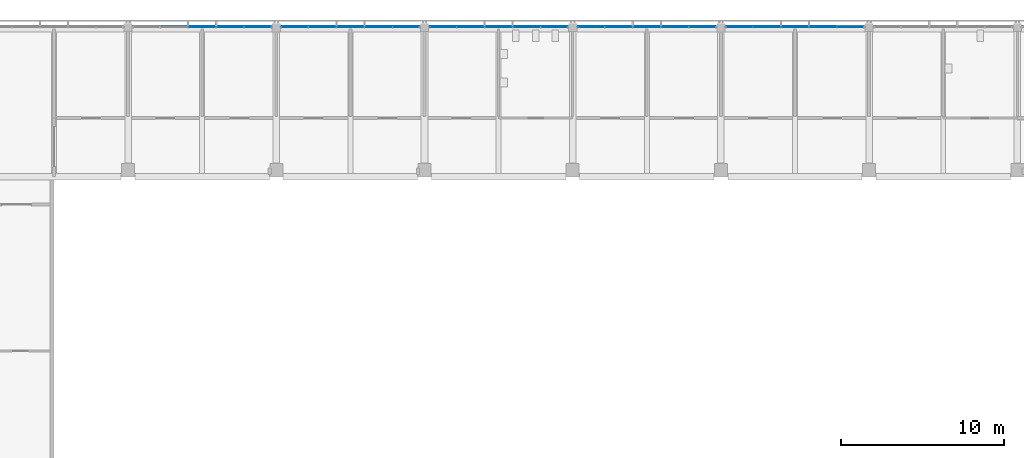
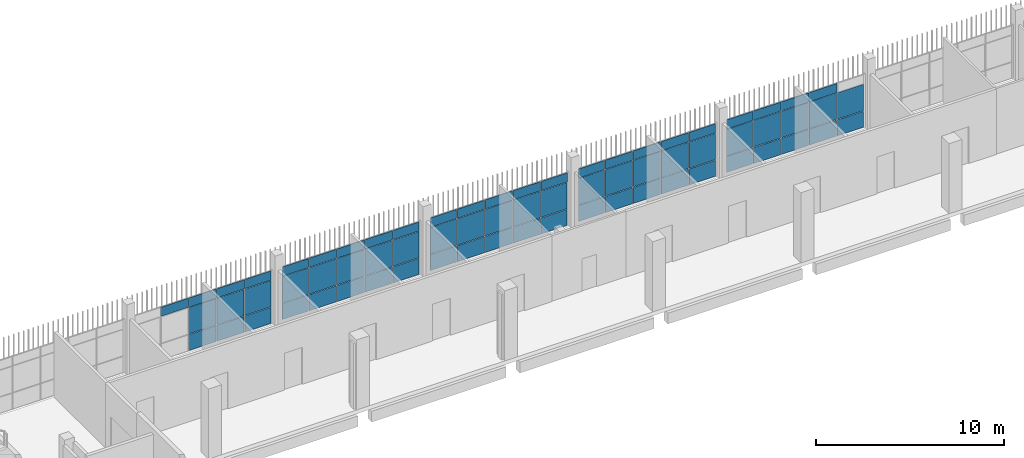
# One storey, part 62 of 124: 69 plates, 5 elements without a shape of their own.
"""IFC4 building model written with IfcOpenShell, lengths in metres."""

from ifc_helpers import new_model, si_unit, direction, frame, origin, origin_2d, place, context, subcontext, project, spatial, rectangle, extrude, material, layer, layer_set, type_object, element, aggregate, save


model = new_model("IFC4")

# Units and contexts
model_context = context("Model", 3, precision=1e-05, world=origin(), true_north=direction((0.0, 1.0)))
body_context = subcontext(model_context, "Body", "Model", "MODEL_VIEW")
ifc_project = project(units=[si_unit("LENGTHUNIT", "METRE"), si_unit("AREAUNIT", "SQUARE_METRE"), si_unit("VOLUMEUNIT", "CUBIC_METRE"), si_unit("PLANEANGLEUNIT", "RADIAN"), si_unit("MASSUNIT", "GRAM", prefix="KILO")], contexts=[model_context])

# Site, building, storey
site_placement = place(None, origin())
site = spatial("IfcSite", under=ifc_project, at=site_placement, CompositionType="ELEMENT")
building_placement = place(site_placement, origin())
building = spatial("IfcBuilding", under=site, at=building_placement, Name="Shirokan Park Arena", CompositionType="ELEMENT")
storey_placement = place(building_placement, frame((0.0, 0.0, 20.02001953125)))
storey = spatial("IfcBuildingStorey", under=building, at=storey_placement, Name="L04", CompositionType="ELEMENT", Elevation=20.02001953125)

# Curtain wall, plates
ifc_material_1 = material(Name="Steel and glass curtain wall", Category="steel")
ifc_layer_1 = layer(ifc_material_1, 0.10009765625)
ifc_layer_set_1 = layer_set([ifc_layer_1], Name="Steel and glass curtain wall 100 mm")
curtain_wall_type = type_object("IfcCurtainWallType", Name="Curtain wall sheltered bay 100", PredefinedType="NOTDEFINED", material=ifc_layer_set_1)
curtain_wall_1_placement = place(storey_placement, origin())
curtain_wall_1 = element("IfcCurtainWall", 1, at=curtain_wall_1_placement, inside=storey, type_object=curtain_wall_type, Name="Curtain wall north bay 7 L04", PredefinedType="NOTDEFINED")
ifc_material_2 = material(Name="Aluminium sheet", Category="aluminium")
ifc_layer_2 = layer(ifc_material_2, 0.0029296875, Name="Aluminium sheet")
ifc_material_3 = material(Name="Mineral wool insulation")
ifc_layer_3 = layer(ifc_material_3, 0.053955078125, Name="Mineral wool insulation")
ifc_layer_4 = layer(ifc_material_2, 0.0029296875, Name="Aluminium sheet")
ifc_layer_set_2 = layer_set([ifc_layer_2, ifc_layer_3, ifc_layer_4], Name="Aluminium sheet + Mineral wool insulation")
plate_type_1 = type_object("IfcPlateType", Name="Insulated spandrel panel 60", PredefinedType="CURTAIN_PANEL", material=ifc_layer_set_2)
plate_1_placement = place(storey_placement, frame((88.169921875, 109.300048828125, 2.8701171875), z_axis=(0.0, 0.0, 1.0), x_axis=(-1.0, 0.0, 0.0)))
plate_1 = element("IfcPlate", 2, at=plate_1_placement, type_object=plate_type_1, Name="CW2 panel 2.3", PredefinedType="CURTAIN_PANEL", context=body_context, shape_type="SweptSolid", body=[
    extrude(rectangle(XDim=1.669921875, YDim=0.06005859375, at=origin_2d()), origin(), (0.0, 0.0, 1.0), 0.590087890625),
])
plate_2_placement = place(storey_placement, frame((86.449951171875, 109.300048828125, 2.8701171875), z_axis=(0.0, 0.0, 1.0), x_axis=(-1.0, 0.0, 0.0)))
plate_2 = element("IfcPlate", 3, at=plate_2_placement, type_object=plate_type_1, Name="CW2 panel 3.3", PredefinedType="CURTAIN_PANEL", context=body_context, shape_type="SweptSolid", body=[
    extrude(rectangle(XDim=1.669921875, YDim=0.06005859375, at=origin_2d()), origin(), (0.0, 0.0, 1.0), 0.590087890625),
])
plate_3_placement = place(storey_placement, frame((84.72998046875, 109.300048828125, 2.8701171875), z_axis=(0.0, 0.0, 1.0), x_axis=(-1.0, 0.0, 0.0)))
plate_3 = element("IfcPlate", 4, at=plate_3_placement, type_object=plate_type_1, Name="CW2 panel 4.3", PredefinedType="CURTAIN_PANEL", context=body_context, shape_type="SweptSolid", body=[
    extrude(rectangle(XDim=1.669921875, YDim=0.06005859375, at=origin_2d()), origin(), (0.0, 0.0, 1.0), 0.590087890625),
])
plate_4_placement = place(storey_placement, frame((83.047607421875, 109.300048828125, 2.8701171875), z_axis=(0.0, 0.0, 1.0), x_axis=(-1.0, 0.0, 0.0)))
plate_4 = element("IfcPlate", 5, at=plate_4_placement, type_object=plate_type_1, Name="CW2 panel 5.3", PredefinedType="CURTAIN_PANEL", context=body_context, shape_type="SweptSolid", body=[
    extrude(rectangle(XDim=1.594970703125, YDim=0.06005859375, at=origin_2d()), origin(), (0.0, 0.0, 1.0), 0.590087890625),
])

curtain_wall_2_placement = place(storey_placement, origin())
curtain_wall_2 = element("IfcCurtainWall", 6, at=curtain_wall_2_placement, inside=storey, type_object=curtain_wall_type, Name="Curtain wall north bay 8 L04", PredefinedType="NOTDEFINED")
plate_5_placement = place(storey_placement, frame((80.75244140625, 109.300048828125, 2.8701171875), z_axis=(0.0, 0.0, 1.0), x_axis=(-1.0, 0.0, 0.0)))
plate_5 = element("IfcPlate", 7, at=plate_5_placement, type_object=plate_type_1, Name="CW2 panel 1.3", PredefinedType="CURTAIN_PANEL", context=body_context, shape_type="SweptSolid", body=[
    extrude(rectangle(XDim=1.594970703125, YDim=0.06005859375, at=origin_2d()), origin(), (0.0, 0.0, 1.0), 0.590087890625),
])
plate_6_placement = place(storey_placement, frame((79.070068359375, 109.300048828125, 2.8701171875), z_axis=(0.0, 0.0, 1.0), x_axis=(-1.0, 0.0, 0.0)))
plate_6 = element("IfcPlate", 8, at=plate_6_placement, type_object=plate_type_1, Name="CW2 panel 2.3", PredefinedType="CURTAIN_PANEL", context=body_context, shape_type="SweptSolid", body=[
    extrude(rectangle(XDim=1.669921875, YDim=0.06005859375, at=origin_2d()), origin(), (0.0, 0.0, 1.0), 0.590087890625),
])
plate_7_placement = place(storey_placement, frame((77.35009765625, 109.300048828125, 2.8701171875), z_axis=(0.0, 0.0, 1.0), x_axis=(-1.0, 0.0, 0.0)))
plate_7 = element("IfcPlate", 9, at=plate_7_placement, type_object=plate_type_1, Name="CW2 panel 3.3", PredefinedType="CURTAIN_PANEL", context=body_context, shape_type="SweptSolid", body=[
    extrude(rectangle(XDim=1.669921875, YDim=0.06005859375, at=origin_2d()), origin(), (0.0, 0.0, 1.0), 0.590087890625),
])
plate_8_placement = place(storey_placement, frame((75.6298828125, 109.300048828125, 2.8701171875), z_axis=(0.0, 0.0, 1.0), x_axis=(-1.0, 0.0, 0.0)))
plate_8 = element("IfcPlate", 10, at=plate_8_placement, type_object=plate_type_1, Name="CW2 panel 4.3", PredefinedType="CURTAIN_PANEL", context=body_context, shape_type="SweptSolid", body=[
    extrude(rectangle(XDim=1.669921875, YDim=0.06005859375, at=origin_2d()), origin(), (0.0, 0.0, 1.0), 0.590087890625),
])
plate_9_placement = place(storey_placement, frame((73.947509765625, 109.300048828125, 2.8701171875), z_axis=(0.0, 0.0, 1.0), x_axis=(-1.0, 0.0, 0.0)))
plate_9 = element("IfcPlate", 11, at=plate_9_placement, type_object=plate_type_1, Name="CW2 panel 5.3", PredefinedType="CURTAIN_PANEL", context=body_context, shape_type="SweptSolid", body=[
    extrude(rectangle(XDim=1.594970703125, YDim=0.06005859375, at=origin_2d()), origin(), (0.0, 0.0, 1.0), 0.590087890625),
])

curtain_wall_3_placement = place(storey_placement, origin())
curtain_wall_3 = element("IfcCurtainWall", 12, at=curtain_wall_3_placement, inside=storey, type_object=curtain_wall_type, Name="Curtain wall north bay 9 L04", PredefinedType="NOTDEFINED")
plate_10_placement = place(storey_placement, frame((71.652587890625, 109.300048828125, 2.8701171875), z_axis=(0.0, 0.0, 1.0), x_axis=(-1.0, 0.0, 0.0)))
plate_10 = element("IfcPlate", 13, at=plate_10_placement, type_object=plate_type_1, Name="CW2 panel 1.3", PredefinedType="CURTAIN_PANEL", context=body_context, shape_type="SweptSolid", body=[
    extrude(rectangle(XDim=1.594970703125, YDim=0.06005859375, at=origin_2d()), origin(), (0.0, 0.0, 1.0), 0.590087890625),
])
plate_11_placement = place(storey_placement, frame((69.969970703125, 109.300048828125, 2.8701171875), z_axis=(0.0, 0.0, 1.0), x_axis=(-1.0, 0.0, 0.0)))
plate_11 = element("IfcPlate", 14, at=plate_11_placement, type_object=plate_type_1, Name="CW2 panel 2.3", PredefinedType="CURTAIN_PANEL", context=body_context, shape_type="SweptSolid", body=[
    extrude(rectangle(XDim=1.669921875, YDim=0.06005859375, at=origin_2d()), origin(), (0.0, 0.0, 1.0), 0.590087890625),
])
plate_12_placement = place(storey_placement, frame((68.25, 109.300048828125, 2.8701171875), z_axis=(0.0, 0.0, 1.0), x_axis=(-1.0, 0.0, 0.0)))
plate_12 = element("IfcPlate", 15, at=plate_12_placement, type_object=plate_type_1, Name="CW2 panel 3.3", PredefinedType="CURTAIN_PANEL", context=body_context, shape_type="SweptSolid", body=[
    extrude(rectangle(XDim=1.669921875, YDim=0.06005859375, at=origin_2d()), origin(), (0.0, 0.0, 1.0), 0.590087890625),
])
plate_13_placement = place(storey_placement, frame((66.530029296875, 109.300048828125, 2.8701171875), z_axis=(0.0, 0.0, 1.0), x_axis=(-1.0, 0.0, 0.0)))
plate_13 = element("IfcPlate", 16, at=plate_13_placement, type_object=plate_type_1, Name="CW2 panel 4.3", PredefinedType="CURTAIN_PANEL", context=body_context, shape_type="SweptSolid", body=[
    extrude(rectangle(XDim=1.669921875, YDim=0.06005859375, at=origin_2d()), origin(), (0.0, 0.0, 1.0), 0.590087890625),
])
plate_14_placement = place(storey_placement, frame((64.847412109375, 109.300048828125, 2.8701171875), z_axis=(0.0, 0.0, 1.0), x_axis=(-1.0, 0.0, 0.0)))
plate_14 = element("IfcPlate", 17, at=plate_14_placement, type_object=plate_type_1, Name="CW2 panel 5.3", PredefinedType="CURTAIN_PANEL", context=body_context, shape_type="SweptSolid", body=[
    extrude(rectangle(XDim=1.594970703125, YDim=0.06005859375, at=origin_2d()), origin(), (0.0, 0.0, 1.0), 0.590087890625),
])

curtain_wall_4_placement = place(storey_placement, origin())
curtain_wall_4 = element("IfcCurtainWall", 18, at=curtain_wall_4_placement, inside=storey, type_object=curtain_wall_type, Name="Curtain wall north bay 10 L04", PredefinedType="NOTDEFINED")
plate_15_placement = place(storey_placement, frame((62.552490234375, 109.300048828125, 2.8701171875), z_axis=(0.0, 0.0, 1.0), x_axis=(-1.0, 0.0, 0.0)))
plate_15 = element("IfcPlate", 19, at=plate_15_placement, type_object=plate_type_1, Name="CW2 panel 1.3", PredefinedType="CURTAIN_PANEL", context=body_context, shape_type="SweptSolid", body=[
    extrude(rectangle(XDim=1.594970703125, YDim=0.06005859375, at=origin_2d()), origin(), (0.0, 0.0, 1.0), 0.590087890625),
])
plate_16_placement = place(storey_placement, frame((60.8701171875, 109.300048828125, 2.8701171875), z_axis=(0.0, 0.0, 1.0), x_axis=(-1.0, 0.0, 0.0)))
plate_16 = element("IfcPlate", 20, at=plate_16_placement, type_object=plate_type_1, Name="CW2 panel 2.3", PredefinedType="CURTAIN_PANEL", context=body_context, shape_type="SweptSolid", body=[
    extrude(rectangle(XDim=1.669921875, YDim=0.06005859375, at=origin_2d()), origin(), (0.0, 0.0, 1.0), 0.590087890625),
])
plate_17_placement = place(storey_placement, frame((59.14990234375, 109.300048828125, 2.8701171875), z_axis=(0.0, 0.0, 1.0), x_axis=(-1.0, 0.0, 0.0)))
plate_17 = element("IfcPlate", 21, at=plate_17_placement, type_object=plate_type_1, Name="CW2 panel 3.3", PredefinedType="CURTAIN_PANEL", context=body_context, shape_type="SweptSolid", body=[
    extrude(rectangle(XDim=1.669921875, YDim=0.06005859375, at=origin_2d()), origin(), (0.0, 0.0, 1.0), 0.590087890625),
])
plate_18_placement = place(storey_placement, frame((57.429931640625, 109.300048828125, 2.8701171875), z_axis=(0.0, 0.0, 1.0), x_axis=(-1.0, 0.0, 0.0)))
plate_18 = element("IfcPlate", 22, at=plate_18_placement, type_object=plate_type_1, Name="CW2 panel 4.3", PredefinedType="CURTAIN_PANEL", context=body_context, shape_type="SweptSolid", body=[
    extrude(rectangle(XDim=1.669921875, YDim=0.06005859375, at=origin_2d()), origin(), (0.0, 0.0, 1.0), 0.590087890625),
])
plate_19_placement = place(storey_placement, frame((55.74755859375, 109.300048828125, 2.8701171875), z_axis=(0.0, 0.0, 1.0), x_axis=(-1.0, 0.0, 0.0)))
plate_19 = element("IfcPlate", 23, at=plate_19_placement, type_object=plate_type_1, Name="CW2 panel 5.3", PredefinedType="CURTAIN_PANEL", context=body_context, shape_type="SweptSolid", body=[
    extrude(rectangle(XDim=1.594970703125, YDim=0.06005859375, at=origin_2d()), origin(), (0.0, 0.0, 1.0), 0.590087890625),
])

curtain_wall_5_placement = place(storey_placement, origin())
curtain_wall_5 = element("IfcCurtainWall", 24, at=curtain_wall_5_placement, inside=storey, type_object=curtain_wall_type, Name="Curtain wall north bay 11 L04", PredefinedType="NOTDEFINED")
plate_20_placement = place(storey_placement, frame((53.452392578125, 109.300048828125, 2.8701171875), z_axis=(0.0, 0.0, 1.0), x_axis=(-1.0, 0.0, 0.0)))
plate_20 = element("IfcPlate", 25, at=plate_20_placement, type_object=plate_type_1, Name="CW2 panel 1.3", PredefinedType="CURTAIN_PANEL", context=body_context, shape_type="SweptSolid", body=[
    extrude(rectangle(XDim=1.594970703125, YDim=0.06005859375, at=origin_2d()), origin(), (0.0, 0.0, 1.0), 0.590087890625),
])
plate_21_placement = place(storey_placement, frame((51.77001953125, 109.300048828125, 2.8701171875), z_axis=(0.0, 0.0, 1.0), x_axis=(-1.0, 0.0, 0.0)))
plate_21 = element("IfcPlate", 26, at=plate_21_placement, type_object=plate_type_1, Name="CW2 panel 2.3", PredefinedType="CURTAIN_PANEL", context=body_context, shape_type="SweptSolid", body=[
    extrude(rectangle(XDim=1.669921875, YDim=0.06005859375, at=origin_2d()), origin(), (0.0, 0.0, 1.0), 0.590087890625),
])
plate_22_placement = place(storey_placement, frame((50.050048828125, 109.300048828125, 2.8701171875), z_axis=(0.0, 0.0, 1.0), x_axis=(-1.0, 0.0, 0.0)))
plate_22 = element("IfcPlate", 27, at=plate_22_placement, type_object=plate_type_1, Name="CW2 panel 3.3", PredefinedType="CURTAIN_PANEL", context=body_context, shape_type="SweptSolid", body=[
    extrude(rectangle(XDim=1.669921875, YDim=0.06005859375, at=origin_2d()), origin(), (0.0, 0.0, 1.0), 0.590087890625),
])
plate_23_placement = place(storey_placement, frame((48.330078125, 109.300048828125, 2.8701171875), z_axis=(0.0, 0.0, 1.0), x_axis=(-1.0, 0.0, 0.0)))
plate_23 = element("IfcPlate", 28, at=plate_23_placement, type_object=plate_type_1, Name="CW2 panel 4.3", PredefinedType="CURTAIN_PANEL", context=body_context, shape_type="SweptSolid", body=[
    extrude(rectangle(XDim=1.669921875, YDim=0.06005859375, at=origin_2d()), origin(), (0.0, 0.0, 1.0), 0.590087890625),
])

# Plate
ifc_material_4 = material(Name="Toughened glass", Category="glass")
ifc_layer_5 = layer(ifc_material_4, 0.012939453125, Name="Toughened glass")
ifc_material_5 = material(Name="Interlayer film")
ifc_layer_6 = layer(ifc_material_5, 0.001953125, Name="Interlayer film")
ifc_layer_7 = layer(ifc_material_4, 0.012939453125, Name="Toughened glass")
ifc_layer_set_3 = layer_set([ifc_layer_5, ifc_layer_6, ifc_layer_7], Name="Toughened glass + Interlayer film")
plate_type_2 = type_object("IfcPlateType", Name="Laminated glass panel 28", PredefinedType="CURTAIN_PANEL", material=ifc_layer_set_3)
plate_24_placement = place(storey_placement, frame((89.8525390625, 109.300048828125, 1.1201171875), z_axis=(0.0, 0.0, 1.0), x_axis=(-1.0, 0.0, 0.0)))
plate_24 = element("IfcPlate", 29, at=plate_24_placement, type_object=plate_type_2, Name="CW2 panel 1.2", PredefinedType="CURTAIN_PANEL", context=body_context, shape_type="SweptSolid", body=[
    extrude(rectangle(XDim=1.594970703125, YDim=0.028076171875, at=origin_2d()), origin(), (0.0, 0.0, 1.0), 1.7099609375),
])

plate_25_placement = place(storey_placement, frame((88.169921875, 109.300048828125, 1.1201171875), z_axis=(0.0, 0.0, 1.0), x_axis=(-1.0, 0.0, 0.0)))
plate_25 = element("IfcPlate", 30, at=plate_25_placement, type_object=plate_type_2, Name="CW2 panel 2.2", PredefinedType="CURTAIN_PANEL", context=body_context, shape_type="SweptSolid", body=[
    extrude(rectangle(XDim=1.669921875, YDim=0.028076171875, at=origin_2d()), origin(), (0.0, 0.0, 1.0), 1.7099609375),
])

plate_26_placement = place(storey_placement, frame((86.449951171875, 109.300048828125, 1.1201171875), z_axis=(0.0, 0.0, 1.0), x_axis=(-1.0, 0.0, 0.0)))
plate_26 = element("IfcPlate", 31, at=plate_26_placement, type_object=plate_type_2, Name="CW2 panel 3.2", PredefinedType="CURTAIN_PANEL", context=body_context, shape_type="SweptSolid", body=[
    extrude(rectangle(XDim=1.669921875, YDim=0.028076171875, at=origin_2d()), origin(), (0.0, 0.0, 1.0), 1.7099609375),
])

plate_27_placement = place(storey_placement, frame((84.72998046875, 109.300048828125, 1.1201171875), z_axis=(0.0, 0.0, 1.0), x_axis=(-1.0, 0.0, 0.0)))
plate_27 = element("IfcPlate", 32, at=plate_27_placement, type_object=plate_type_2, Name="CW2 panel 4.2", PredefinedType="CURTAIN_PANEL", context=body_context, shape_type="SweptSolid", body=[
    extrude(rectangle(XDim=1.669921875, YDim=0.028076171875, at=origin_2d()), origin(), (0.0, 0.0, 1.0), 1.7099609375),
])

plate_28_placement = place(storey_placement, frame((83.047607421875, 109.300048828125, 1.1201171875), z_axis=(0.0, 0.0, 1.0), x_axis=(-1.0, 0.0, 0.0)))
plate_28 = element("IfcPlate", 33, at=plate_28_placement, type_object=plate_type_2, Name="CW2 panel 5.2", PredefinedType="CURTAIN_PANEL", context=body_context, shape_type="SweptSolid", body=[
    extrude(rectangle(XDim=1.594970703125, YDim=0.028076171875, at=origin_2d()), origin(), (0.0, 0.0, 1.0), 1.7099609375),
])

plate_29_placement = place(storey_placement, frame((80.75244140625, 109.300048828125, 1.1201171875), z_axis=(0.0, 0.0, 1.0), x_axis=(-1.0, 0.0, 0.0)))
plate_29 = element("IfcPlate", 34, at=plate_29_placement, type_object=plate_type_2, Name="CW2 panel 1.2", PredefinedType="CURTAIN_PANEL", context=body_context, shape_type="SweptSolid", body=[
    extrude(rectangle(XDim=1.594970703125, YDim=0.028076171875, at=origin_2d()), origin(), (0.0, 0.0, 1.0), 1.7099609375),
])

plate_30_placement = place(storey_placement, frame((79.070068359375, 109.300048828125, 1.1201171875), z_axis=(0.0, 0.0, 1.0), x_axis=(-1.0, 0.0, 0.0)))
plate_30 = element("IfcPlate", 35, at=plate_30_placement, type_object=plate_type_2, Name="CW2 panel 2.2", PredefinedType="CURTAIN_PANEL", context=body_context, shape_type="SweptSolid", body=[
    extrude(rectangle(XDim=1.669921875, YDim=0.028076171875, at=origin_2d()), origin(), (0.0, 0.0, 1.0), 1.7099609375),
])

plate_31_placement = place(storey_placement, frame((77.35009765625, 109.300048828125, 1.1201171875), z_axis=(0.0, 0.0, 1.0), x_axis=(-1.0, 0.0, 0.0)))
plate_31 = element("IfcPlate", 36, at=plate_31_placement, type_object=plate_type_2, Name="CW2 panel 3.2", PredefinedType="CURTAIN_PANEL", context=body_context, shape_type="SweptSolid", body=[
    extrude(rectangle(XDim=1.669921875, YDim=0.028076171875, at=origin_2d()), origin(), (0.0, 0.0, 1.0), 1.7099609375),
])

plate_32_placement = place(storey_placement, frame((75.6298828125, 109.300048828125, 1.1201171875), z_axis=(0.0, 0.0, 1.0), x_axis=(-1.0, 0.0, 0.0)))
plate_32 = element("IfcPlate", 37, at=plate_32_placement, type_object=plate_type_2, Name="CW2 panel 4.2", PredefinedType="CURTAIN_PANEL", context=body_context, shape_type="SweptSolid", body=[
    extrude(rectangle(XDim=1.669921875, YDim=0.028076171875, at=origin_2d()), origin(), (0.0, 0.0, 1.0), 1.7099609375),
])

plate_33_placement = place(storey_placement, frame((73.947509765625, 109.300048828125, 1.1201171875), z_axis=(0.0, 0.0, 1.0), x_axis=(-1.0, 0.0, 0.0)))
plate_33 = element("IfcPlate", 38, at=plate_33_placement, type_object=plate_type_2, Name="CW2 panel 5.2", PredefinedType="CURTAIN_PANEL", context=body_context, shape_type="SweptSolid", body=[
    extrude(rectangle(XDim=1.594970703125, YDim=0.028076171875, at=origin_2d()), origin(), (0.0, 0.0, 1.0), 1.7099609375),
])

plate_34_placement = place(storey_placement, frame((71.652587890625, 109.300048828125, 1.1201171875), z_axis=(0.0, 0.0, 1.0), x_axis=(-1.0, 0.0, 0.0)))
plate_34 = element("IfcPlate", 39, at=plate_34_placement, type_object=plate_type_2, Name="CW2 panel 1.2", PredefinedType="CURTAIN_PANEL", context=body_context, shape_type="SweptSolid", body=[
    extrude(rectangle(XDim=1.594970703125, YDim=0.028076171875, at=origin_2d()), origin(), (0.0, 0.0, 1.0), 1.7099609375),
])

plate_35_placement = place(storey_placement, frame((69.969970703125, 109.300048828125, 1.1201171875), z_axis=(0.0, 0.0, 1.0), x_axis=(-1.0, 0.0, 0.0)))
plate_35 = element("IfcPlate", 40, at=plate_35_placement, type_object=plate_type_2, Name="CW2 panel 2.2", PredefinedType="CURTAIN_PANEL", context=body_context, shape_type="SweptSolid", body=[
    extrude(rectangle(XDim=1.669921875, YDim=0.028076171875, at=origin_2d()), origin(), (0.0, 0.0, 1.0), 1.7099609375),
])

plate_36_placement = place(storey_placement, frame((68.25, 109.300048828125, 1.1201171875), z_axis=(0.0, 0.0, 1.0), x_axis=(-1.0, 0.0, 0.0)))
plate_36 = element("IfcPlate", 41, at=plate_36_placement, type_object=plate_type_2, Name="CW2 panel 3.2", PredefinedType="CURTAIN_PANEL", context=body_context, shape_type="SweptSolid", body=[
    extrude(rectangle(XDim=1.669921875, YDim=0.028076171875, at=origin_2d()), origin(), (0.0, 0.0, 1.0), 1.7099609375),
])

plate_37_placement = place(storey_placement, frame((66.530029296875, 109.300048828125, 1.1201171875), z_axis=(0.0, 0.0, 1.0), x_axis=(-1.0, 0.0, 0.0)))
plate_37 = element("IfcPlate", 42, at=plate_37_placement, type_object=plate_type_2, Name="CW2 panel 4.2", PredefinedType="CURTAIN_PANEL", context=body_context, shape_type="SweptSolid", body=[
    extrude(rectangle(XDim=1.669921875, YDim=0.028076171875, at=origin_2d()), origin(), (0.0, 0.0, 1.0), 1.7099609375),
])

plate_38_placement = place(storey_placement, frame((64.847412109375, 109.300048828125, 1.1201171875), z_axis=(0.0, 0.0, 1.0), x_axis=(-1.0, 0.0, 0.0)))
plate_38 = element("IfcPlate", 43, at=plate_38_placement, type_object=plate_type_2, Name="CW2 panel 5.2", PredefinedType="CURTAIN_PANEL", context=body_context, shape_type="SweptSolid", body=[
    extrude(rectangle(XDim=1.594970703125, YDim=0.028076171875, at=origin_2d()), origin(), (0.0, 0.0, 1.0), 1.7099609375),
])

plate_39_placement = place(storey_placement, frame((62.552490234375, 109.300048828125, 1.1201171875), z_axis=(0.0, 0.0, 1.0), x_axis=(-1.0, 0.0, 0.0)))
plate_39 = element("IfcPlate", 44, at=plate_39_placement, type_object=plate_type_2, Name="CW2 panel 1.2", PredefinedType="CURTAIN_PANEL", context=body_context, shape_type="SweptSolid", body=[
    extrude(rectangle(XDim=1.594970703125, YDim=0.028076171875, at=origin_2d()), origin(), (0.0, 0.0, 1.0), 1.7099609375),
])

plate_40_placement = place(storey_placement, frame((60.8701171875, 109.300048828125, 1.1201171875), z_axis=(0.0, 0.0, 1.0), x_axis=(-1.0, 0.0, 0.0)))
plate_40 = element("IfcPlate", 45, at=plate_40_placement, type_object=plate_type_2, Name="CW2 panel 2.2", PredefinedType="CURTAIN_PANEL", context=body_context, shape_type="SweptSolid", body=[
    extrude(rectangle(XDim=1.669921875, YDim=0.028076171875, at=origin_2d()), origin(), (0.0, 0.0, 1.0), 1.7099609375),
])

plate_41_placement = place(storey_placement, frame((59.14990234375, 109.300048828125, 1.1201171875), z_axis=(0.0, 0.0, 1.0), x_axis=(-1.0, 0.0, 0.0)))
plate_41 = element("IfcPlate", 46, at=plate_41_placement, type_object=plate_type_2, Name="CW2 panel 3.2", PredefinedType="CURTAIN_PANEL", context=body_context, shape_type="SweptSolid", body=[
    extrude(rectangle(XDim=1.669921875, YDim=0.028076171875, at=origin_2d()), origin(), (0.0, 0.0, 1.0), 1.7099609375),
])

plate_42_placement = place(storey_placement, frame((57.429931640625, 109.300048828125, 1.1201171875), z_axis=(0.0, 0.0, 1.0), x_axis=(-1.0, 0.0, 0.0)))
plate_42 = element("IfcPlate", 47, at=plate_42_placement, type_object=plate_type_2, Name="CW2 panel 4.2", PredefinedType="CURTAIN_PANEL", context=body_context, shape_type="SweptSolid", body=[
    extrude(rectangle(XDim=1.669921875, YDim=0.028076171875, at=origin_2d()), origin(), (0.0, 0.0, 1.0), 1.7099609375),
])

plate_43_placement = place(storey_placement, frame((55.74755859375, 109.300048828125, 1.1201171875), z_axis=(0.0, 0.0, 1.0), x_axis=(-1.0, 0.0, 0.0)))
plate_43 = element("IfcPlate", 48, at=plate_43_placement, type_object=plate_type_2, Name="CW2 panel 5.2", PredefinedType="CURTAIN_PANEL", context=body_context, shape_type="SweptSolid", body=[
    extrude(rectangle(XDim=1.594970703125, YDim=0.028076171875, at=origin_2d()), origin(), (0.0, 0.0, 1.0), 1.7099609375),
])

plate_44_placement = place(storey_placement, frame((53.452392578125, 109.300048828125, 1.1201171875), z_axis=(0.0, 0.0, 1.0), x_axis=(-1.0, 0.0, 0.0)))
plate_44 = element("IfcPlate", 49, at=plate_44_placement, type_object=plate_type_2, Name="CW2 panel 1.2", PredefinedType="CURTAIN_PANEL", context=body_context, shape_type="SweptSolid", body=[
    extrude(rectangle(XDim=1.594970703125, YDim=0.028076171875, at=origin_2d()), origin(), (0.0, 0.0, 1.0), 1.7099609375),
])

plate_45_placement = place(storey_placement, frame((51.77001953125, 109.300048828125, 1.1201171875), z_axis=(0.0, 0.0, 1.0), x_axis=(-1.0, 0.0, 0.0)))
plate_45 = element("IfcPlate", 50, at=plate_45_placement, type_object=plate_type_2, Name="CW2 panel 2.2", PredefinedType="CURTAIN_PANEL", context=body_context, shape_type="SweptSolid", body=[
    extrude(rectangle(XDim=1.669921875, YDim=0.028076171875, at=origin_2d()), origin(), (0.0, 0.0, 1.0), 1.7099609375),
])

plate_46_placement = place(storey_placement, frame((50.050048828125, 109.300048828125, 1.1201171875), z_axis=(0.0, 0.0, 1.0), x_axis=(-1.0, 0.0, 0.0)))
plate_46 = element("IfcPlate", 51, at=plate_46_placement, type_object=plate_type_2, Name="CW2 panel 3.2", PredefinedType="CURTAIN_PANEL", context=body_context, shape_type="SweptSolid", body=[
    extrude(rectangle(XDim=1.669921875, YDim=0.028076171875, at=origin_2d()), origin(), (0.0, 0.0, 1.0), 1.7099609375),
])

ifc_layer_8 = layer(ifc_material_4, 0.01708984375, Name="Toughened glass")
ifc_layer_9 = layer(ifc_material_5, 0.001953125, Name="Interlayer film")
ifc_layer_10 = layer(ifc_material_4, 0.01708984375, Name="Toughened glass")
ifc_layer_set_4 = layer_set([ifc_layer_8, ifc_layer_9, ifc_layer_10], Name="Toughened glass + Interlayer film")
plate_type_3 = type_object("IfcPlateType", Name="Laminated safety glass panel 36", PredefinedType="CURTAIN_PANEL", material=ifc_layer_set_4)
plate_47_placement = place(storey_placement, frame((89.8525390625, 109.300048828125, 0.0400390625), z_axis=(0.0, 0.0, 1.0), x_axis=(-1.0, 0.0, 0.0)))
plate_47 = element("IfcPlate", 52, at=plate_47_placement, type_object=plate_type_3, Name="CW2 panel 1.1", PredefinedType="CURTAIN_PANEL", context=body_context, shape_type="SweptSolid", body=[
    extrude(rectangle(XDim=1.594970703125, YDim=0.035888671875, at=origin_2d()), origin(), (0.0, 0.0, 1.0), 1.0400390625),
])

plate_48_placement = place(storey_placement, frame((88.169921875, 109.300048828125, 0.0400390625), z_axis=(0.0, 0.0, 1.0), x_axis=(-1.0, 0.0, 0.0)))
plate_48 = element("IfcPlate", 53, at=plate_48_placement, type_object=plate_type_3, Name="CW2 panel 2.1", PredefinedType="CURTAIN_PANEL", context=body_context, shape_type="SweptSolid", body=[
    extrude(rectangle(XDim=1.669921875, YDim=0.035888671875, at=origin_2d()), origin(), (0.0, 0.0, 1.0), 1.0400390625),
])

plate_49_placement = place(storey_placement, frame((86.449951171875, 109.300048828125, 0.0400390625), z_axis=(0.0, 0.0, 1.0), x_axis=(-1.0, 0.0, 0.0)))
plate_49 = element("IfcPlate", 54, at=plate_49_placement, type_object=plate_type_3, Name="CW2 panel 3.1", PredefinedType="CURTAIN_PANEL", context=body_context, shape_type="SweptSolid", body=[
    extrude(rectangle(XDim=1.669921875, YDim=0.035888671875, at=origin_2d()), origin(), (0.0, 0.0, 1.0), 1.0400390625),
])

plate_50_placement = place(storey_placement, frame((84.72998046875, 109.300048828125, 0.0400390625), z_axis=(0.0, 0.0, 1.0), x_axis=(-1.0, 0.0, 0.0)))
plate_50 = element("IfcPlate", 55, at=plate_50_placement, type_object=plate_type_3, Name="CW2 panel 4.1", PredefinedType="CURTAIN_PANEL", context=body_context, shape_type="SweptSolid", body=[
    extrude(rectangle(XDim=1.669921875, YDim=0.035888671875, at=origin_2d()), origin(), (0.0, 0.0, 1.0), 1.0400390625),
])

plate_51_placement = place(storey_placement, frame((83.047607421875, 109.300048828125, 0.0400390625), z_axis=(0.0, 0.0, 1.0), x_axis=(-1.0, 0.0, 0.0)))
plate_51 = element("IfcPlate", 56, at=plate_51_placement, type_object=plate_type_3, Name="CW2 panel 5.1", PredefinedType="CURTAIN_PANEL", context=body_context, shape_type="SweptSolid", body=[
    extrude(rectangle(XDim=1.594970703125, YDim=0.035888671875, at=origin_2d()), origin(), (0.0, 0.0, 1.0), 1.0400390625),
])

aggregate(curtain_wall_1, [plate_47, plate_24, plate_48, plate_25, plate_1, plate_49, plate_26, plate_2, plate_50, plate_27, plate_3, plate_51, plate_28, plate_4])

plate_52_placement = place(storey_placement, frame((80.75244140625, 109.300048828125, 0.0400390625), z_axis=(0.0, 0.0, 1.0), x_axis=(-1.0, 0.0, 0.0)))
plate_52 = element("IfcPlate", 57, at=plate_52_placement, type_object=plate_type_3, Name="CW2 panel 1.1", PredefinedType="CURTAIN_PANEL", context=body_context, shape_type="SweptSolid", body=[
    extrude(rectangle(XDim=1.594970703125, YDim=0.035888671875, at=origin_2d()), origin(), (0.0, 0.0, 1.0), 1.0400390625),
])

plate_53_placement = place(storey_placement, frame((79.070068359375, 109.300048828125, 0.0400390625), z_axis=(0.0, 0.0, 1.0), x_axis=(-1.0, 0.0, 0.0)))
plate_53 = element("IfcPlate", 58, at=plate_53_placement, type_object=plate_type_3, Name="CW2 panel 2.1", PredefinedType="CURTAIN_PANEL", context=body_context, shape_type="SweptSolid", body=[
    extrude(rectangle(XDim=1.669921875, YDim=0.035888671875, at=origin_2d()), origin(), (0.0, 0.0, 1.0), 1.0400390625),
])

plate_54_placement = place(storey_placement, frame((77.35009765625, 109.300048828125, 0.0400390625), z_axis=(0.0, 0.0, 1.0), x_axis=(-1.0, 0.0, 0.0)))
plate_54 = element("IfcPlate", 59, at=plate_54_placement, type_object=plate_type_3, Name="CW2 panel 3.1", PredefinedType="CURTAIN_PANEL", context=body_context, shape_type="SweptSolid", body=[
    extrude(rectangle(XDim=1.669921875, YDim=0.035888671875, at=origin_2d()), origin(), (0.0, 0.0, 1.0), 1.0400390625),
])

plate_55_placement = place(storey_placement, frame((75.6298828125, 109.300048828125, 0.0400390625), z_axis=(0.0, 0.0, 1.0), x_axis=(-1.0, 0.0, 0.0)))
plate_55 = element("IfcPlate", 60, at=plate_55_placement, type_object=plate_type_3, Name="CW2 panel 4.1", PredefinedType="CURTAIN_PANEL", context=body_context, shape_type="SweptSolid", body=[
    extrude(rectangle(XDim=1.669921875, YDim=0.035888671875, at=origin_2d()), origin(), (0.0, 0.0, 1.0), 1.0400390625),
])

plate_56_placement = place(storey_placement, frame((73.947509765625, 109.300048828125, 0.0400390625), z_axis=(0.0, 0.0, 1.0), x_axis=(-1.0, 0.0, 0.0)))
plate_56 = element("IfcPlate", 61, at=plate_56_placement, type_object=plate_type_3, Name="CW2 panel 5.1", PredefinedType="CURTAIN_PANEL", context=body_context, shape_type="SweptSolid", body=[
    extrude(rectangle(XDim=1.594970703125, YDim=0.035888671875, at=origin_2d()), origin(), (0.0, 0.0, 1.0), 1.0400390625),
])

aggregate(curtain_wall_2, [plate_52, plate_29, plate_5, plate_53, plate_30, plate_6, plate_54, plate_31, plate_7, plate_55, plate_32, plate_8, plate_56, plate_33, plate_9])

plate_57_placement = place(storey_placement, frame((71.652587890625, 109.300048828125, 0.0400390625), z_axis=(0.0, 0.0, 1.0), x_axis=(-1.0, 0.0, 0.0)))
plate_57 = element("IfcPlate", 62, at=plate_57_placement, type_object=plate_type_3, Name="CW2 panel 1.1", PredefinedType="CURTAIN_PANEL", context=body_context, shape_type="SweptSolid", body=[
    extrude(rectangle(XDim=1.594970703125, YDim=0.035888671875, at=origin_2d()), origin(), (0.0, 0.0, 1.0), 1.0400390625),
])

plate_58_placement = place(storey_placement, frame((69.969970703125, 109.300048828125, 0.0400390625), z_axis=(0.0, 0.0, 1.0), x_axis=(-1.0, 0.0, 0.0)))
plate_58 = element("IfcPlate", 63, at=plate_58_placement, type_object=plate_type_3, Name="CW2 panel 2.1", PredefinedType="CURTAIN_PANEL", context=body_context, shape_type="SweptSolid", body=[
    extrude(rectangle(XDim=1.669921875, YDim=0.035888671875, at=origin_2d()), origin(), (0.0, 0.0, 1.0), 1.0400390625),
])

plate_59_placement = place(storey_placement, frame((68.25, 109.300048828125, 0.0400390625), z_axis=(0.0, 0.0, 1.0), x_axis=(-1.0, 0.0, 0.0)))
plate_59 = element("IfcPlate", 64, at=plate_59_placement, type_object=plate_type_3, Name="CW2 panel 3.1", PredefinedType="CURTAIN_PANEL", context=body_context, shape_type="SweptSolid", body=[
    extrude(rectangle(XDim=1.669921875, YDim=0.035888671875, at=origin_2d()), origin(), (0.0, 0.0, 1.0), 1.0400390625),
])

plate_60_placement = place(storey_placement, frame((66.530029296875, 109.300048828125, 0.0400390625), z_axis=(0.0, 0.0, 1.0), x_axis=(-1.0, 0.0, 0.0)))
plate_60 = element("IfcPlate", 65, at=plate_60_placement, type_object=plate_type_3, Name="CW2 panel 4.1", PredefinedType="CURTAIN_PANEL", context=body_context, shape_type="SweptSolid", body=[
    extrude(rectangle(XDim=1.669921875, YDim=0.035888671875, at=origin_2d()), origin(), (0.0, 0.0, 1.0), 1.0400390625),
])

plate_61_placement = place(storey_placement, frame((64.847412109375, 109.300048828125, 0.0400390625), z_axis=(0.0, 0.0, 1.0), x_axis=(-1.0, 0.0, 0.0)))
plate_61 = element("IfcPlate", 66, at=plate_61_placement, type_object=plate_type_3, Name="CW2 panel 5.1", PredefinedType="CURTAIN_PANEL", context=body_context, shape_type="SweptSolid", body=[
    extrude(rectangle(XDim=1.594970703125, YDim=0.035888671875, at=origin_2d()), origin(), (0.0, 0.0, 1.0), 1.0400390625),
])

aggregate(curtain_wall_3, [plate_57, plate_34, plate_10, plate_58, plate_35, plate_11, plate_59, plate_36, plate_12, plate_60, plate_37, plate_13, plate_61, plate_38, plate_14])

plate_62_placement = place(storey_placement, frame((62.552490234375, 109.300048828125, 0.0400390625), z_axis=(0.0, 0.0, 1.0), x_axis=(-1.0, 0.0, 0.0)))
plate_62 = element("IfcPlate", 67, at=plate_62_placement, type_object=plate_type_3, Name="CW2 panel 1.1", PredefinedType="CURTAIN_PANEL", context=body_context, shape_type="SweptSolid", body=[
    extrude(rectangle(XDim=1.594970703125, YDim=0.035888671875, at=origin_2d()), origin(), (0.0, 0.0, 1.0), 1.0400390625),
])

plate_63_placement = place(storey_placement, frame((60.8701171875, 109.300048828125, 0.0400390625), z_axis=(0.0, 0.0, 1.0), x_axis=(-1.0, 0.0, 0.0)))
plate_63 = element("IfcPlate", 68, at=plate_63_placement, type_object=plate_type_3, Name="CW2 panel 2.1", PredefinedType="CURTAIN_PANEL", context=body_context, shape_type="SweptSolid", body=[
    extrude(rectangle(XDim=1.669921875, YDim=0.035888671875, at=origin_2d()), origin(), (0.0, 0.0, 1.0), 1.0400390625),
])

plate_64_placement = place(storey_placement, frame((59.14990234375, 109.300048828125, 0.0400390625), z_axis=(0.0, 0.0, 1.0), x_axis=(-1.0, 0.0, 0.0)))
plate_64 = element("IfcPlate", 69, at=plate_64_placement, type_object=plate_type_3, Name="CW2 panel 3.1", PredefinedType="CURTAIN_PANEL", context=body_context, shape_type="SweptSolid", body=[
    extrude(rectangle(XDim=1.669921875, YDim=0.035888671875, at=origin_2d()), origin(), (0.0, 0.0, 1.0), 1.0400390625),
])

plate_65_placement = place(storey_placement, frame((57.429931640625, 109.300048828125, 0.0400390625), z_axis=(0.0, 0.0, 1.0), x_axis=(-1.0, 0.0, 0.0)))
plate_65 = element("IfcPlate", 70, at=plate_65_placement, type_object=plate_type_3, Name="CW2 panel 4.1", PredefinedType="CURTAIN_PANEL", context=body_context, shape_type="SweptSolid", body=[
    extrude(rectangle(XDim=1.669921875, YDim=0.035888671875, at=origin_2d()), origin(), (0.0, 0.0, 1.0), 1.0400390625),
])

plate_66_placement = place(storey_placement, frame((55.74755859375, 109.300048828125, 0.0400390625), z_axis=(0.0, 0.0, 1.0), x_axis=(-1.0, 0.0, 0.0)))
plate_66 = element("IfcPlate", 71, at=plate_66_placement, type_object=plate_type_3, Name="CW2 panel 5.1", PredefinedType="CURTAIN_PANEL", context=body_context, shape_type="SweptSolid", body=[
    extrude(rectangle(XDim=1.594970703125, YDim=0.035888671875, at=origin_2d()), origin(), (0.0, 0.0, 1.0), 1.0400390625),
])

aggregate(curtain_wall_4, [plate_62, plate_39, plate_15, plate_63, plate_40, plate_16, plate_64, plate_41, plate_17, plate_65, plate_42, plate_18, plate_66, plate_43, plate_19])

plate_67_placement = place(storey_placement, frame((53.452392578125, 109.300048828125, 0.0400390625), z_axis=(0.0, 0.0, 1.0), x_axis=(-1.0, 0.0, 0.0)))
plate_67 = element("IfcPlate", 72, at=plate_67_placement, type_object=plate_type_3, Name="CW2 panel 1.1", PredefinedType="CURTAIN_PANEL", context=body_context, shape_type="SweptSolid", body=[
    extrude(rectangle(XDim=1.594970703125, YDim=0.035888671875, at=origin_2d()), origin(), (0.0, 0.0, 1.0), 1.0400390625),
])

plate_68_placement = place(storey_placement, frame((51.77001953125, 109.300048828125, 0.0400390625), z_axis=(0.0, 0.0, 1.0), x_axis=(-1.0, 0.0, 0.0)))
plate_68 = element("IfcPlate", 73, at=plate_68_placement, type_object=plate_type_3, Name="CW2 panel 2.1", PredefinedType="CURTAIN_PANEL", context=body_context, shape_type="SweptSolid", body=[
    extrude(rectangle(XDim=1.669921875, YDim=0.035888671875, at=origin_2d()), origin(), (0.0, 0.0, 1.0), 1.0400390625),
])

plate_69_placement = place(storey_placement, frame((50.050048828125, 109.300048828125, 0.0400390625), z_axis=(0.0, 0.0, 1.0), x_axis=(-1.0, 0.0, 0.0)))
plate_69 = element("IfcPlate", 74, at=plate_69_placement, type_object=plate_type_3, Name="CW2 panel 3.1", PredefinedType="CURTAIN_PANEL", context=body_context, shape_type="SweptSolid", body=[
    extrude(rectangle(XDim=1.669921875, YDim=0.035888671875, at=origin_2d()), origin(), (0.0, 0.0, 1.0), 1.0400390625),
])

aggregate(curtain_wall_5, [plate_67, plate_44, plate_20, plate_68, plate_45, plate_21, plate_69, plate_46, plate_22, plate_23])

save(model, "model.ifc")
